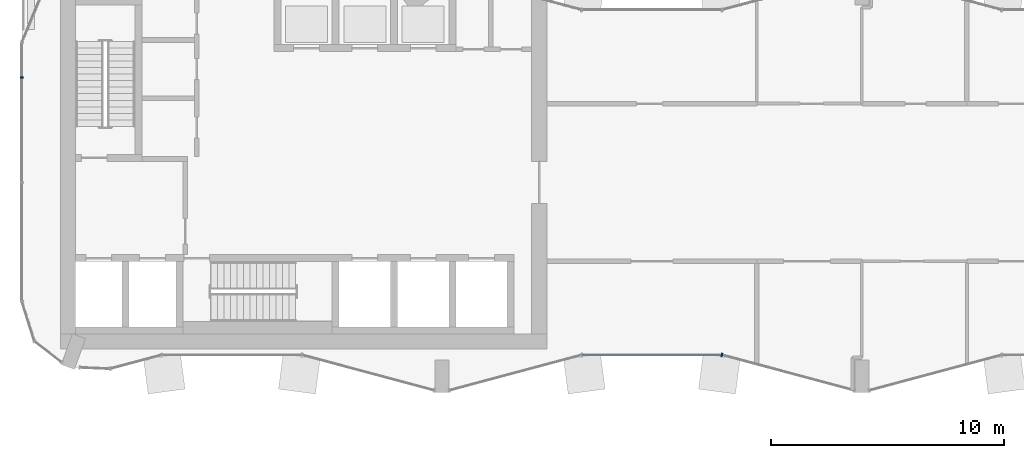
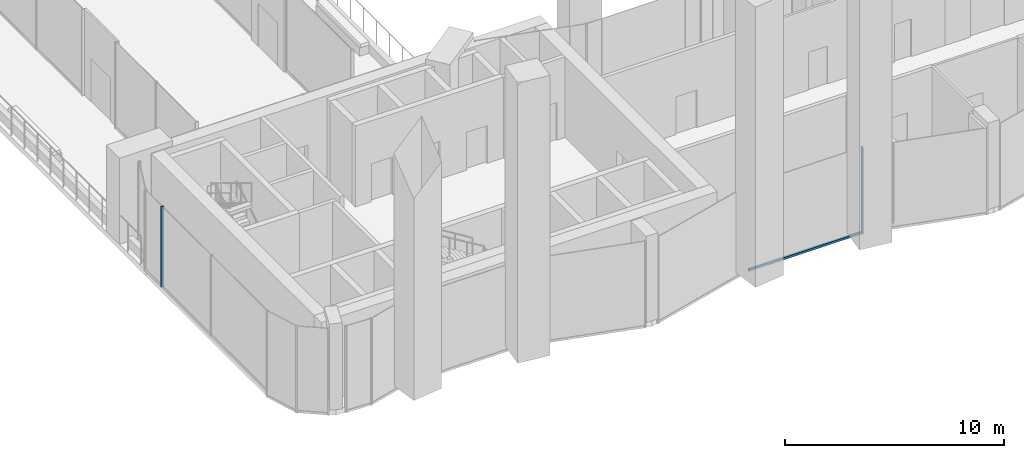
# One storey, part 3 of 23: 3 members, 3 elements without a shape of their own.
"""IFC4 building model written with IfcOpenShell, lengths in metres."""

import ifcopenshell
import ifcopenshell.guid

model = None  # the IFC model being written
_history = None  # IfcOwnerHistory: only IFC2X3 demands one
_inside = {}  # id of a spatial element -> (the spatial element, [elements in it])
_under = {}  # id of a project, library or spatial element -> (it, [spatial elements below it])
_declared = {}  # id of a project -> (the project, [libraries it declares])
_typed = {}  # id of a type object -> (the type object, [elements of that type])
_made_of = {}  # id of a material, layer set ... -> (it, [elements and type objects made of it])


def new_model(schema):
    """Start an empty IFC model of exactly this schema.

    Asked for "IFC4X3", IfcOpenShell would pick the latest addendum, in which some entities
    have other attributes; the version numbers below select the first issue.
    IFC2X3 requires an IfcOwnerHistory on every rooted entity: one is made here for all.
    """
    global model, _history
    if schema == "IFC4X3":
        model = ifcopenshell.file(schema_version=(4, 3, 0, 0))
    else:
        model = ifcopenshell.file(schema=schema)
    _inside.clear()
    _under.clear()
    _declared.clear()
    _typed.clear()
    _made_of.clear()
    _history = None
    if model.schema == "IFC2X3":
        org = make("IfcOrganization", Name="unknown")
        user = make(
            "IfcPersonAndOrganization",
            ThePerson=make("IfcPerson", FamilyName="unknown"),
            TheOrganization=org,
        )
        app = make(
            "IfcApplication",
            ApplicationDeveloper=org,
            Version="unknown",
            ApplicationFullName="unknown",
            ApplicationIdentifier="unknown",
        )
        _history = make(
            "IfcOwnerHistory",
            OwningUser=user,
            OwningApplication=app,
            ChangeAction="ADDED",
            CreationDate=0,
        )
    return model


def make(cls, **values):
    """One entity of the class cls with the attributes given. An attribute that is None is left unset."""
    return model.create_entity(
        cls, **{name: value for name, value in values.items() if value is not None}
    )


def rooted(cls, **values):
    """An entity with a GlobalId (a new one), such as an element, a storey or a relation."""
    return make(cls, GlobalId=ifcopenshell.guid.new(), OwnerHistory=_history, **values)


def si_unit(unit_type, name, prefix=None):
    """IfcSIUnit, for example si_unit("LENGTHUNIT", "METRE", prefix="MILLI")."""
    return make("IfcSIUnit", UnitType=unit_type, Prefix=prefix, Name=name)


def assignment(units):
    """IfcUnitAssignment: the units of a project."""
    return None if units is None else make("IfcUnitAssignment", Units=units)


def point(xyz):
    """IfcCartesianPoint."""
    return None if xyz is None else make("IfcCartesianPoint", Coordinates=xyz)


def direction(xyz):
    """IfcDirection."""
    return None if xyz is None else make("IfcDirection", DirectionRatios=xyz)


def frame(location, z_axis=None, x_axis=None):
    """IfcAxis2Placement3D, a coordinate frame: its origin and axes. An axis left out is left unset."""
    return make(
        "IfcAxis2Placement3D",
        Location=point(location),
        Axis=direction(z_axis),
        RefDirection=direction(x_axis),
    )


def frame_2d(location, x_axis=None):
    """IfcAxis2Placement2D, a coordinate frame in the plane: its origin and x axis."""
    return make(
        "IfcAxis2Placement2D", Location=point(location), RefDirection=direction(x_axis)
    )


def origin():
    """The frame at (0, 0, 0) with its axes left unset."""
    return frame((0.0, 0.0, 0.0))


def origin_2d():
    """The frame at (0, 0) in the plane with its x axis left unset."""
    return frame_2d((0.0, 0.0))


def place(relative_to, where):
    """IfcLocalPlacement: puts the frame where relative to a parent placement (None: the world)."""
    return make(
        "IfcLocalPlacement", PlacementRelTo=relative_to, RelativePlacement=where
    )


def context(
    kind, dimensions, precision=None, world=None, true_north=None, identifier=None
):
    """IfcGeometricRepresentationContext, for example the 3D "Model" context."""
    return make(
        "IfcGeometricRepresentationContext",
        ContextIdentifier=identifier,
        ContextType=kind,
        CoordinateSpaceDimension=dimensions,
        Precision=precision,
        WorldCoordinateSystem=world,
        TrueNorth=true_north,
    )


def subcontext(parent, identifier, kind, view, scale=None):
    """IfcGeometricRepresentationSubContext, for example "Body" below "Model"."""
    return make(
        "IfcGeometricRepresentationSubContext",
        ContextIdentifier=identifier,
        ContextType=kind,
        ParentContext=parent,
        TargetScale=scale,
        TargetView=view,
    )


def project(units=None, contexts=None):
    """IfcProject with its units and contexts."""
    return rooted(
        "IfcProject",
        Name="project",
        RepresentationContexts=contexts,
        UnitsInContext=assignment(units),
    )


def spatial(cls, under=None, at=None, **own):
    """A site, building, storey or space (cls), placed at a placement, below another one or the project."""
    s = rooted(cls, ObjectPlacement=at, **own)
    if under is not None:
        _under.setdefault(under.id(), (under, []))[1].append(s)
    return s


def profile(cls, at=None, kind="AREA", **sizes):
    """A parametric profile (cls). Its sizes go by their IFC names, for example OverallWidth=200.0."""
    return make(cls, ProfileType=kind, Position=at, **sizes)


def rectangle(**sizes):
    """IfcRectangleProfileDef."""
    return profile("IfcRectangleProfileDef", **sizes)


def extrude(swept, where, along, depth):
    """IfcExtrudedAreaSolid: the profile swept, set in the frame where, extruded along a direction by depth."""
    return make(
        "IfcExtrudedAreaSolid",
        SweptArea=swept,
        Position=where,
        ExtrudedDirection=direction(along),
        Depth=depth,
    )


def shape(context_of_items, identifier, shape_type, items):
    """IfcShapeRepresentation: the items that make up one representation, for example the "Body"."""
    return make(
        "IfcShapeRepresentation",
        ContextOfItems=context_of_items,
        RepresentationIdentifier=identifier,
        RepresentationType=shape_type,
        Items=items,
    )


def material(Name=None, Category=None):
    """IfcMaterial."""
    return make("IfcMaterial", Name=Name, Category=Category)


def layer(
    of_material, thickness, ventilated=None, Name=None, Category=None, Priority=None
):
    """IfcMaterialLayer: one layer of a wall or slab, of a material (None: an air gap)."""
    return make(
        "IfcMaterialLayer",
        Material=of_material,
        LayerThickness=thickness,
        IsVentilated=ventilated,
        Name=Name,
        Category=Category,
        Priority=Priority,
    )


def layer_set(layers, Name=None):
    """IfcMaterialLayerSet."""
    return make("IfcMaterialLayerSet", MaterialLayers=layers, LayerSetName=Name)


def material_profile(
    of_material, cross_section, Name=None, Category=None, Priority=None
):
    """IfcMaterialProfile: a cross section and its material."""
    return make(
        "IfcMaterialProfile",
        Name=Name,
        Material=of_material,
        Profile=cross_section,
        Priority=Priority,
        Category=Category,
    )


def profile_set(profiles, Name=None, composite=None):
    """IfcMaterialProfileSet."""
    return make(
        "IfcMaterialProfileSet",
        Name=Name,
        MaterialProfiles=profiles,
        CompositeProfile=composite,
    )


def made_of(thing, what):
    """Note that an element or type object is made of a material, layer set ...; save() writes the relation."""
    if what is not None:
        _made_of.setdefault(what.id(), (what, []))[1].append(thing)
    return thing


def type_object(cls, material=None, **own):
    """A type object (cls), such as IfcWallType, which elements share."""
    return made_of(rooted(cls, **own), material)


def element(
    cls,
    number,
    at=None,
    inside=None,
    cuts=None,
    type_object=None,
    material=None,
    context=None,
    identifier="Body",
    shape_type=None,
    held_by="IfcProductDefinitionShape",
    body=None,
    shapes=None,
    **own,
):
    """One element of the class cls, such as IfcWall. Its Tag is "e" and its number.

    at: its placement. inside: the storey or other place that contains it. cuts: it is an
    opening in that element (IfcRelVoidsElement). A single representation is given by context,
    identifier, shape_type and body (its items); several are given by shapes. held_by: the class
    of the entity that holds the representations. save() writes the other relations.
    """
    e = rooted(cls, Tag="e%d" % number, ObjectPlacement=at, **own)
    if body is not None:
        shapes = [shape(context, identifier, shape_type, body)]
    if shapes is not None:
        e.Representation = make(held_by, Representations=shapes)
    if inside is not None:
        _inside.setdefault(inside.id(), (inside, []))[1].append(e)
    if cuts is not None:
        rooted(
            "IfcRelVoidsElement", RelatingBuildingElement=cuts, RelatedOpeningElement=e
        )
    if type_object is not None:
        _typed.setdefault(type_object.id(), (type_object, []))[1].append(e)
    return made_of(e, material)


def aggregate(whole, parts):
    """IfcRelAggregates: a whole, such as a stair, and the parts it consists of."""
    return rooted("IfcRelAggregates", RelatingObject=whole, RelatedObjects=parts)


def save(model, path):
    """Write the relations noted so far, then the file.

    IfcRelAggregates (storeys below a building ...), IfcRelContainedInSpatialStructure (elements
    in a storey), IfcRelDefinesByType, IfcRelAssociatesMaterial and IfcRelDeclares: one each for
    every whole, place, type object, material and project.
    """
    for whole, parts in _under.values():
        aggregate(whole, parts)
    for where, things in _inside.values():
        rooted(
            "IfcRelContainedInSpatialStructure",
            RelatedElements=things,
            RelatingStructure=where,
        )
    for kind, things in _typed.values():
        rooted("IfcRelDefinesByType", RelatedObjects=things, RelatingType=kind)
    for what, things in _made_of.values():
        rooted("IfcRelAssociatesMaterial", RelatedObjects=things, RelatingMaterial=what)
    for by, libraries in _declared.values():
        rooted("IfcRelDeclares", RelatingContext=by, RelatedDefinitions=libraries)
    model.write(path)


model = new_model("IFC4")

# Units and contexts
model_context = context("Model", 3, precision=1e-05, world=origin(), true_north=direction((0.0, 1.0)))
body_context = subcontext(model_context, "Body", "Model", "MODEL_VIEW")
ifc_project = project(units=[si_unit("LENGTHUNIT", "METRE"), si_unit("AREAUNIT", "SQUARE_METRE"), si_unit("VOLUMEUNIT", "CUBIC_METRE"), si_unit("PLANEANGLEUNIT", "RADIAN"), si_unit("MASSUNIT", "GRAM", prefix="KILO")], contexts=[model_context])

# Site, building, storey
site_placement = place(None, origin())
site = spatial("IfcSite", under=ifc_project, at=site_placement, CompositionType="ELEMENT")
building_placement = place(site_placement, origin())
building = spatial("IfcBuilding", under=site, at=building_placement, Name="Plateau Cross Towers", CompositionType="ELEMENT")
storey_placement = place(building_placement, frame((0.0, 0.0, 123.800048828125)))
storey = spatial("IfcBuildingStorey", under=building, at=storey_placement, Name="L32", CompositionType="ELEMENT", Elevation=123.800048828125)

# Curtain wall, member
ifc_material_1 = material(Name="Dark low-iron glass", Category="glass")
ifc_layer_1 = layer(ifc_material_1, 0.239990234375)
ifc_layer_set_1 = layer_set([ifc_layer_1], Name="Dark low-iron glass")
curtain_wall_type_1 = type_object("IfcCurtainWallType", Name="Curtain wall flush unitised CW-B", PredefinedType="NOTDEFINED", material=ifc_layer_set_1)
curtain_wall_1_placement = place(storey_placement, origin())
curtain_wall_1 = element("IfcCurtainWall", 1, at=curtain_wall_1_placement, inside=storey, type_object=curtain_wall_type_1, Name="ENV/A/L32/A0_150", PredefinedType="NOTDEFINED")
ifc_material_2 = material(Name="Black anodised aluminium", Category="aluminium")
ifc_material_profile_1 = material_profile(ifc_material_2, rectangle(XDim=0.06005859375, YDim=0.139892578125, at=origin_2d()), Name="MULLION 60x140")
ifc_profile_set_1 = profile_set([ifc_material_profile_1], Name="Black anodised aluminium")
member_type_1 = type_object("IfcMemberType", Name="Mullion 60x140 flush unitised", PredefinedType="MULLION", material=ifc_profile_set_1)
member_1_placement = place(storey_placement, frame((0.0, 13.5, 0.0), z_axis=(0.0, 0.0, 1.0), x_axis=(0.0, -1.0, 0.0)))
member_1 = element("IfcMember", 2, at=member_1_placement, type_object=member_type_1, Name="CW-B mullion 2", PredefinedType="MULLION", context=body_context, shape_type="SweptSolid", body=[
    extrude(rectangle(XDim=0.06005859375, YDim=0.139892578125, at=origin_2d()), origin(), (0.0, 0.0, 1.0), 4.5),
])
aggregate(curtain_wall_1, [member_1])

ifc_layer_2 = layer(ifc_material_1, 0.260009765625)
ifc_layer_set_2 = layer_set([ifc_layer_2], Name="Dark low-iron glass")
curtain_wall_type_2 = type_object("IfcCurtainWallType", Name="Curtain wall fluted unitised CW-A", PredefinedType="NOTDEFINED", material=ifc_layer_set_2)
curtain_wall_2_placement = place(storey_placement, origin())
curtain_wall_2 = element("IfcCurtainWall", 3, at=curtain_wall_2_placement, inside=storey, type_object=curtain_wall_type_2, Name="ENV/A/L32/A300_16", PredefinedType="NOTDEFINED")
ifc_material_profile_2 = material_profile(ifc_material_2, rectangle(XDim=0.06005859375, YDim=0.159912109375, at=origin_2d()), Name="MULLION 60x160")
ifc_profile_set_2 = profile_set([ifc_material_profile_2], Name="Black anodised aluminium")
member_type_2 = type_object("IfcMemberType", Name="Mullion 60x160 fluted unitised", PredefinedType="MULLION", material=ifc_profile_set_2)
member_2_placement = place(storey_placement, frame((30.0, 1.60693359375, -0.300048828125), z_axis=(0.0, 0.0, 1.0), x_axis=(0.965957983404, -0.258699003279, 0.0)))
member_2 = element("IfcMember", 4, at=member_2_placement, type_object=member_type_2, Name="CW-A mullion 1", PredefinedType="MULLION", context=body_context, shape_type="SweptSolid", body=[
    extrude(rectangle(XDim=0.06005859375, YDim=0.159912109375, at=origin_2d()), origin(), (0.0, 0.0, 1.0), 4.800048828125),
])
aggregate(curtain_wall_2, [member_2])

curtain_wall_3_placement = place(storey_placement, origin())
curtain_wall_3 = element("IfcCurtainWall", 5, at=curtain_wall_3_placement, inside=storey, type_object=curtain_wall_type_2, Name="ENV/A/L32/A240_16", PredefinedType="NOTDEFINED")
ifc_material_profile_3 = material_profile(ifc_material_2, rectangle(XDim=0.10009765625, YDim=0.1201171875, at=origin_2d()), Name="TRANSOM 100x120")
ifc_profile_set_3 = profile_set([ifc_material_profile_3], Name="Black anodised aluminium")
member_type_3 = type_object("IfcMemberType", Name="Transom 100x120 fluted unitised", PredefinedType="USERDEFINED", material=ifc_profile_set_3)
member_3_placement = place(storey_placement, frame((24.0, 1.60693359375, -0.239990234375), z_axis=(1.0, 0.0, 0.0), x_axis=(0.0, 1.0, 0.0)))
member_3 = element("IfcMember", 6, at=member_3_placement, type_object=member_type_3, Name="CW-A transom", ObjectType="TRANSOM", PredefinedType="USERDEFINED", context=body_context, shape_type="SweptSolid", body=[
    extrude(rectangle(XDim=0.10009765625, YDim=0.1201171875, at=origin_2d()), origin(), (0.0, 0.0, 1.0), 6.0),
])
aggregate(curtain_wall_3, [member_3])

save(model, "model.ifc")
